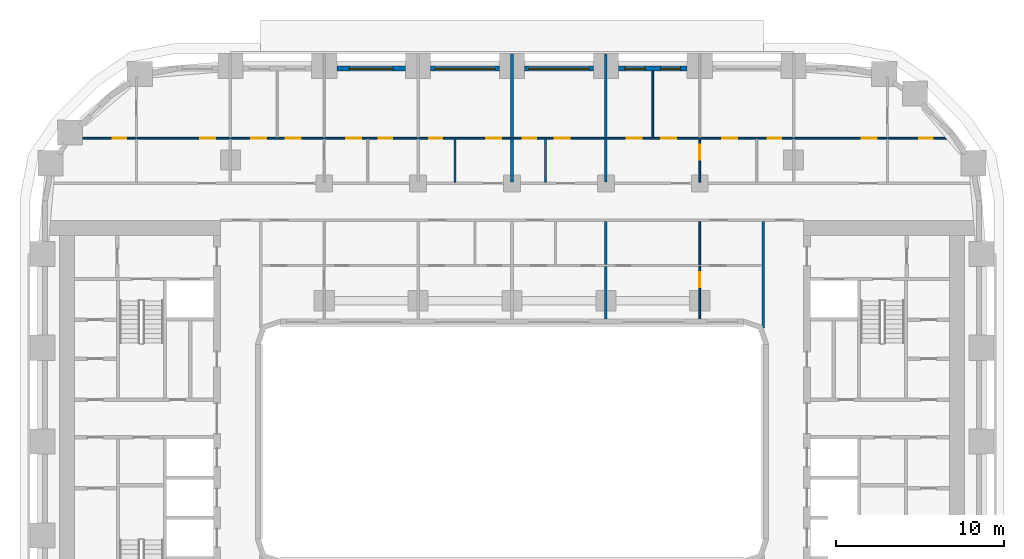
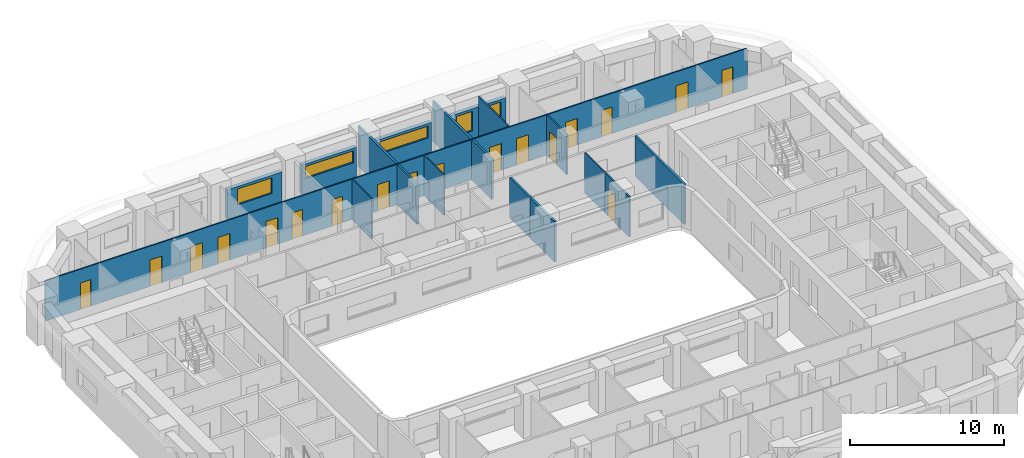
# One storey, part 9 of 21: 18 doors, 18 walls, 5 windows, 23 openings.
"""IFC4 building model written with IfcOpenShell, lengths in metres."""

from ifc_helpers import new_model, si_unit, direction, frame, frame_2d, origin, place, context, subcontext, project, spatial, rectangle, extrude, material, layer, layer_set, type_object, element, fill, save


model = new_model("IFC4")

# Units and contexts
model_context = context("Model", 3, precision=1e-05, world=origin(), true_north=direction((0.0, 1.0)))
body_context = subcontext(model_context, "Body", "Model", "MODEL_VIEW")
ifc_project = project(units=[si_unit("LENGTHUNIT", "METRE"), si_unit("AREAUNIT", "SQUARE_METRE"), si_unit("VOLUMEUNIT", "CUBIC_METRE"), si_unit("PLANEANGLEUNIT", "RADIAN"), si_unit("MASSUNIT", "GRAM", prefix="KILO")], contexts=[model_context])

# Site, building, storey
site_placement = place(None, origin())
site = spatial("IfcSite", under=ifc_project, at=site_placement, CompositionType="ELEMENT")
building_placement = place(site_placement, origin())
building = spatial("IfcBuilding", under=site, at=building_placement, Name="Kiln Ring Residences", CompositionType="ELEMENT")
storey_placement = place(building_placement, frame((0.0, 0.0, 41.0)))
storey = spatial("IfcBuildingStorey", under=building, at=storey_placement, Name="L09", CompositionType="ELEMENT", Elevation=41.0)

# Wall, openings, windows
ifc_material_1 = material(Name="Brick masonry, dark clay brick", Category="masonry")
ifc_layer_1 = layer(ifc_material_1, 0.300048828125)
ifc_layer_set_1 = layer_set([ifc_layer_1], Name="EW-300 BRICK WALL")
wall_type_1 = type_object("IfcWallType", Name="EW-300 BRICK WALL", PredefinedType="SOLIDWALL", material=ifc_layer_set_1)
wall_1_placement = place(storey_placement, frame((10.449951171875, 22.25, 0.0), z_axis=(0.0, 0.0, 1.0), x_axis=(-1.0, 0.0, 0.0)))
wall_1 = element("IfcWall", 1, at=wall_1_placement, inside=storey, type_object=wall_type_1, Name="Facade wall L09 30", PredefinedType="SOLIDWALL", context=body_context, shape_type="SweptSolid", body=[
    extrude(rectangle(XDim=4.099853515625, YDim=0.300048828125, at=frame_2d((2.0498046875, 0.0))), origin(), (0.0, 0.0, 1.0), 2.35009765625),
])
opening_1_placement = place(wall_1_placement, frame((0.387451171875, 0.0, 0.60009765625)))
opening_1 = element("IfcOpeningElement", 2, at=opening_1_placement, cuts=wall_1, Name="Opening W1", PredefinedType="OPENING", context=body_context, shape_type="SweptSolid", body=[
    extrude(rectangle(XDim=1.199951171875, YDim=1.550048828125, at=frame_2d((0.60009765625, 0.77490234375))), frame((0.0, 0.159912109375, 0.0), z_axis=(0.0, -1.0, 0.0), x_axis=(1.0, 0.0, 0.0)), (0.0, 0.0, 1.0), 0.320068359375),
])
opening_2_placement = place(wall_1_placement, frame((2.512451171875, 0.0, 0.60009765625)))
opening_2 = element("IfcOpeningElement", 3, at=opening_2_placement, cuts=wall_1, Name="Opening W1", PredefinedType="OPENING", context=body_context, shape_type="SweptSolid", body=[
    extrude(rectangle(XDim=1.199951171875, YDim=1.550048828125, at=frame_2d((0.60009765625, 0.77490234375))), frame((0.0, 0.159912109375, 0.0), z_axis=(0.0, -1.0, 0.0), x_axis=(1.0, 0.0, 0.0)), (0.0, 0.0, 1.0), 0.320068359375),
])
ifc_material_2 = material(Name="Aluminium frame with double glazing", Category="aluminium")
window_type_1 = type_object("IfcWindowType", Name="WINDOW 1200 x 1550", PartitioningType="SINGLE_PANEL", PredefinedType="WINDOW", material=ifc_material_2)
window_1_placement = place(opening_1_placement, origin())
window_1 = element("IfcWindow", 4, at=window_1_placement, inside=storey, type_object=window_type_1, Name="Window L09 15", OverallHeight=1.550048828125, OverallWidth=1.199951171875, PartitioningType="SINGLE_PANEL", PredefinedType="WINDOW", context=body_context, shape_type="SweptSolid", body=[
    extrude(rectangle(XDim=1.199951171875, YDim=1.550048828125, at=frame_2d((0.60009765625, 0.77490234375))), frame((0.0, 0.030029296875, 0.0), z_axis=(0.0, -1.0, 0.0), x_axis=(1.0, 0.0, 0.0)), (0.0, 0.0, 1.0), 0.06005859375),
])
fill(opening_1, window_1)
window_2_placement = place(opening_2_placement, origin())
window_2 = element("IfcWindow", 5, at=window_2_placement, inside=storey, type_object=window_type_1, Name="Window L09 16", OverallHeight=1.550048828125, OverallWidth=1.199951171875, PartitioningType="SINGLE_PANEL", PredefinedType="WINDOW", context=body_context, shape_type="SweptSolid", body=[
    extrude(rectangle(XDim=1.199951171875, YDim=1.550048828125, at=frame_2d((0.60009765625, 0.77490234375))), frame((0.0, 0.030029296875, 0.0), z_axis=(0.0, -1.0, 0.0), x_axis=(1.0, 0.0, 0.0)), (0.0, 0.0, 1.0), 0.06005859375),
])
fill(opening_2, window_2)

# Wall, opening, window
wall_2_placement = place(storey_placement, frame((4.85009765625, 22.25, 0.0), z_axis=(0.0, 0.0, 1.0), x_axis=(-1.0, 0.0, 0.0)))
wall_2 = element("IfcWall", 6, at=wall_2_placement, inside=storey, type_object=wall_type_1, Name="Facade wall L09 31", PredefinedType="SOLIDWALL", context=body_context, shape_type="SweptSolid", body=[
    extrude(rectangle(XDim=4.10009765625, YDim=0.300048828125, at=frame_2d((2.050048828125, 0.0))), origin(), (0.0, 0.0, 1.0), 2.35009765625),
])
opening_3_placement = place(wall_2_placement, frame((0.25, 0.0, 1.199951171875)))
opening_3 = element("IfcOpeningElement", 7, at=opening_3_placement, cuts=wall_2, Name="Opening W4", PredefinedType="OPENING", context=body_context, shape_type="SweptSolid", body=[
    extrude(rectangle(XDim=3.60009765625, YDim=0.949951171875, at=frame_2d((1.800048828125, 0.47509765625))), frame((0.0, 0.159912109375, 0.0), z_axis=(0.0, -1.0, 0.0), x_axis=(1.0, 0.0, 0.0)), (0.0, 0.0, 1.0), 0.320068359375),
])
ifc_material_3 = material(Name="Aluminium frame with double glazing", Category="aluminium")
window_type_2 = type_object("IfcWindowType", Name="WINDOW 3600 x 950", PartitioningType="SINGLE_PANEL", PredefinedType="WINDOW", material=ifc_material_3)
window_3_placement = place(opening_3_placement, origin())
window_3 = element("IfcWindow", 8, at=window_3_placement, inside=storey, type_object=window_type_2, Name="Window L09 17", OverallHeight=0.949951171875, OverallWidth=3.60009765625, PartitioningType="SINGLE_PANEL", PredefinedType="WINDOW", context=body_context, shape_type="SweptSolid", body=[
    extrude(rectangle(XDim=3.60009765625, YDim=0.949951171875, at=frame_2d((1.800048828125, 0.47509765625))), frame((0.0, 0.030029296875, 0.0), z_axis=(0.0, -1.0, 0.0), x_axis=(1.0, 0.0, 0.0)), (0.0, 0.0, 1.0), 0.06005859375),
])
fill(opening_3, window_3)

wall_3_placement = place(storey_placement, frame((-0.75, 22.25, 0.0), z_axis=(0.0, 0.0, 1.0), x_axis=(-1.0, 0.0, 0.0)))
wall_3 = element("IfcWall", 9, at=wall_3_placement, inside=storey, type_object=wall_type_1, Name="Facade wall L09 32", PredefinedType="SOLIDWALL", context=body_context, shape_type="SweptSolid", body=[
    extrude(rectangle(XDim=4.10009765625, YDim=0.300048828125, at=frame_2d((2.050048828125, 0.0))), origin(), (0.0, 0.0, 1.0), 2.35009765625),
])
opening_4_placement = place(wall_3_placement, frame((0.25, 0.0, 1.199951171875)))
opening_4 = element("IfcOpeningElement", 10, at=opening_4_placement, cuts=wall_3, Name="Opening W4", PredefinedType="OPENING", context=body_context, shape_type="SweptSolid", body=[
    extrude(rectangle(XDim=3.60009765625, YDim=0.949951171875, at=frame_2d((1.800048828125, 0.47509765625))), frame((0.0, 0.159912109375, 0.0), z_axis=(0.0, -1.0, 0.0), x_axis=(1.0, 0.0, 0.0)), (0.0, 0.0, 1.0), 0.320068359375),
])
window_4_placement = place(opening_4_placement, origin())
window_4 = element("IfcWindow", 11, at=window_4_placement, inside=storey, type_object=window_type_2, Name="Window L09 18", OverallHeight=0.949951171875, OverallWidth=3.60009765625, PartitioningType="SINGLE_PANEL", PredefinedType="WINDOW", context=body_context, shape_type="SweptSolid", body=[
    extrude(rectangle(XDim=3.60009765625, YDim=0.949951171875, at=frame_2d((1.800048828125, 0.47509765625))), frame((0.0, 0.030029296875, 0.0), z_axis=(0.0, -1.0, 0.0), x_axis=(1.0, 0.0, 0.0)), (0.0, 0.0, 1.0), 0.06005859375),
])
fill(opening_4, window_4)

wall_4_placement = place(storey_placement, frame((-6.35009765625, 22.25, 0.0), z_axis=(0.0, 0.0, 1.0), x_axis=(-1.0, 0.0, 0.0)))
wall_4 = element("IfcWall", 12, at=wall_4_placement, inside=storey, type_object=wall_type_1, Name="Facade wall L09 33", PredefinedType="SOLIDWALL", context=body_context, shape_type="SweptSolid", body=[
    extrude(rectangle(XDim=4.099853515625, YDim=0.300048828125, at=frame_2d((2.0498046875, 0.0))), origin(), (0.0, 0.0, 1.0), 2.35009765625),
])
opening_5_placement = place(wall_4_placement, frame((0.75, 0.0, 0.89990234375)))
opening_5 = element("IfcOpeningElement", 13, at=opening_5_placement, cuts=wall_4, Name="Opening W3", PredefinedType="OPENING", context=body_context, shape_type="SweptSolid", body=[
    extrude(rectangle(XDim=2.60009765625, YDim=1.25, at=frame_2d((1.300048828125, 0.625))), frame((0.0, 0.159912109375, 0.0), z_axis=(0.0, -1.0, 0.0), x_axis=(1.0, 0.0, 0.0)), (0.0, 0.0, 1.0), 0.320068359375),
])
ifc_material_4 = material(Name="Aluminium frame with double glazing", Category="aluminium")
window_type_3 = type_object("IfcWindowType", Name="WINDOW 2600 x 1250", PartitioningType="SINGLE_PANEL", PredefinedType="WINDOW", material=ifc_material_4)
window_5_placement = place(opening_5_placement, origin())
window_5 = element("IfcWindow", 14, at=window_5_placement, inside=storey, type_object=window_type_3, Name="Window L09 19", OverallHeight=1.25, OverallWidth=2.60009765625, PartitioningType="SINGLE_PANEL", PredefinedType="WINDOW", context=body_context, shape_type="SweptSolid", body=[
    extrude(rectangle(XDim=2.60009765625, YDim=1.25, at=frame_2d((1.300048828125, 0.625))), frame((0.0, 0.030029296875, 0.0), z_axis=(0.0, -1.0, 0.0), x_axis=(1.0, 0.0, 0.0)), (0.0, 0.0, 1.0), 0.06005859375),
])
fill(opening_5, window_5)

# Wall, openings, doors
ifc_material_5 = material(Name="Gypsum board on steel studs", Category="steel")
ifc_layer_2 = layer(ifc_material_5, 0.10009765625)
ifc_layer_set_2 = layer_set([ifc_layer_2], Name="PARTITION-100")
wall_type_2 = type_object("IfcWallType", Name="PARTITION-100", PredefinedType="PARTITIONING", material=ifc_layer_set_2)
wall_5_placement = place(storey_placement, frame((-26.43994140625, 18.10009765625, 0.0), z_axis=(0.0, 0.0, 1.0), x_axis=(1.0, 0.0, 0.0)))
wall_5 = element("IfcWall", 15, at=wall_5_placement, inside=storey, type_object=wall_type_2, Name="Partition 006", PredefinedType="PARTITIONING", context=body_context, shape_type="SweptSolid", body=[
    extrude(rectangle(XDim=52.630126953125, YDim=0.10009765625, at=frame_2d((26.31494140625, 0.0))), origin(), (0.0, 0.0, 1.0), 3.199951171875),
])
opening_6_placement = place(wall_5_placement, frame((2.6259765625, 0.0, 0.0)))
opening_6 = element("IfcOpeningElement", 16, at=opening_6_placement, cuts=wall_5, Name="Opening L09-D020", PredefinedType="OPENING", context=body_context, shape_type="SweptSolid", body=[
    extrude(rectangle(XDim=0.800048828125, YDim=2.10009765625, at=frame_2d((0.39990234375, 1.050048828125))), frame((0.0, 0.06005859375, 0.0), z_axis=(0.0, -1.0, 0.0), x_axis=(1.0, 0.0, 0.0)), (0.0, 0.0, 1.0), 0.1201171875),
])
opening_7_placement = place(wall_5_placement, frame((7.840087890625, 0.0, 0.0)))
opening_7 = element("IfcOpeningElement", 17, at=opening_7_placement, cuts=wall_5, Name="Opening L09-D021", PredefinedType="OPENING", context=body_context, shape_type="SweptSolid", body=[
    extrude(rectangle(XDim=0.89990234375, YDim=2.10009765625, at=frame_2d((0.449951171875, 1.050048828125))), frame((0.0, 0.06005859375, 0.0), z_axis=(0.0, -1.0, 0.0), x_axis=(1.0, 0.0, 0.0)), (0.0, 0.0, 1.0), 0.1201171875),
])
opening_8_placement = place(wall_5_placement, frame((18.489990234375, 0.0, 0.0)))
opening_8 = element("IfcOpeningElement", 18, at=opening_8_placement, cuts=wall_5, Name="Opening L09-D025", PredefinedType="OPENING", context=body_context, shape_type="SweptSolid", body=[
    extrude(rectangle(XDim=0.800048828125, YDim=2.10009765625, at=frame_2d((0.39990234375, 1.050048828125))), frame((0.0, 0.06005859375, 0.0), z_axis=(0.0, -1.0, 0.0), x_axis=(1.0, 0.0, 0.0)), (0.0, 0.0, 1.0), 0.1201171875),
])
opening_9_placement = place(wall_5_placement, frame((16.5400390625, 0.0, 0.0)))
opening_9 = element("IfcOpeningElement", 19, at=opening_9_placement, cuts=wall_5, Name="Opening L09-D026", PredefinedType="OPENING", context=body_context, shape_type="SweptSolid", body=[
    extrude(rectangle(XDim=0.89990234375, YDim=2.10009765625, at=frame_2d((0.449951171875, 1.050048828125))), frame((0.0, 0.06005859375, 0.0), z_axis=(0.0, -1.0, 0.0), x_axis=(1.0, 0.0, 0.0)), (0.0, 0.0, 1.0), 0.1201171875),
])
opening_10_placement = place(wall_5_placement, frame((10.889892578125, 0.0, 0.0)))
opening_10 = element("IfcOpeningElement", 20, at=opening_10_placement, cuts=wall_5, Name="Opening L09-D027", PredefinedType="OPENING", context=body_context, shape_type="SweptSolid", body=[
    extrude(rectangle(XDim=0.89990234375, YDim=2.10009765625, at=frame_2d((0.449951171875, 1.050048828125))), frame((0.0, 0.06005859375, 0.0), z_axis=(0.0, -1.0, 0.0), x_axis=(1.0, 0.0, 0.0)), (0.0, 0.0, 1.0), 0.1201171875),
])
opening_11_placement = place(wall_5_placement, frame((12.93994140625, 0.0, 0.0)))
opening_11 = element("IfcOpeningElement", 21, at=opening_11_placement, cuts=wall_5, Name="Opening L09-D028", PredefinedType="OPENING", context=body_context, shape_type="SweptSolid", body=[
    extrude(rectangle(XDim=0.89990234375, YDim=2.10009765625, at=frame_2d((0.449951171875, 1.050048828125))), frame((0.0, 0.06005859375, 0.0), z_axis=(0.0, -1.0, 0.0), x_axis=(1.0, 0.0, 0.0)), (0.0, 0.0, 1.0), 0.1201171875),
])
opening_12_placement = place(wall_5_placement, frame((21.489990234375, 0.0, 0.0)))
opening_12 = element("IfcOpeningElement", 22, at=opening_12_placement, cuts=wall_5, Name="Opening L09-D030", PredefinedType="OPENING", context=body_context, shape_type="SweptSolid", body=[
    extrude(rectangle(XDim=0.800048828125, YDim=2.10009765625, at=frame_2d((0.39990234375, 1.050048828125))), frame((0.0, 0.06005859375, 0.0), z_axis=(0.0, -1.0, 0.0), x_axis=(1.0, 0.0, 0.0)), (0.0, 0.0, 1.0), 0.1201171875),
])
opening_13_placement = place(wall_5_placement, frame((24.889892578125, 0.0, 0.0)))
opening_13 = element("IfcOpeningElement", 23, at=opening_13_placement, cuts=wall_5, Name="Opening L09-D031", PredefinedType="OPENING", context=body_context, shape_type="SweptSolid", body=[
    extrude(rectangle(XDim=0.89990234375, YDim=2.10009765625, at=frame_2d((0.449951171875, 1.050048828125))), frame((0.0, 0.06005859375, 0.0), z_axis=(0.0, -1.0, 0.0), x_axis=(1.0, 0.0, 0.0)), (0.0, 0.0, 1.0), 0.1201171875),
])
opening_14_placement = place(wall_5_placement, frame((27.090087890625, 0.0, 0.0)))
opening_14 = element("IfcOpeningElement", 24, at=opening_14_placement, cuts=wall_5, Name="Opening L09-D033", PredefinedType="OPENING", context=body_context, shape_type="SweptSolid", body=[
    extrude(rectangle(XDim=0.800048828125, YDim=2.10009765625, at=frame_2d((0.39990234375, 1.050048828125))), frame((0.0, 0.06005859375, 0.0), z_axis=(0.0, -1.0, 0.0), x_axis=(1.0, 0.0, 0.0)), (0.0, 0.0, 1.0), 0.1201171875),
])
opening_15_placement = place(wall_5_placement, frame((28.989990234375, 0.0, 0.0)))
opening_15 = element("IfcOpeningElement", 25, at=opening_15_placement, cuts=wall_5, Name="Opening L09-D034", PredefinedType="OPENING", context=body_context, shape_type="SweptSolid", body=[
    extrude(rectangle(XDim=0.89990234375, YDim=2.10009765625, at=frame_2d((0.449951171875, 1.050048828125))), frame((0.0, 0.06005859375, 0.0), z_axis=(0.0, -1.0, 0.0), x_axis=(1.0, 0.0, 0.0)), (0.0, 0.0, 1.0), 0.1201171875),
])
opening_16_placement = place(wall_5_placement, frame((41.68994140625, 0.0, 0.0)))
opening_16 = element("IfcOpeningElement", 26, at=opening_16_placement, cuts=wall_5, Name="Opening L09-D037", PredefinedType="OPENING", context=body_context, shape_type="SweptSolid", body=[
    extrude(rectangle(XDim=0.800048828125, YDim=2.10009765625, at=frame_2d((0.39990234375, 1.050048828125))), frame((0.0, 0.06005859375, 0.0), z_axis=(0.0, -1.0, 0.0), x_axis=(1.0, 0.0, 0.0)), (0.0, 0.0, 1.0), 0.1201171875),
])
opening_17_placement = place(wall_5_placement, frame((38.989990234375, 0.0, 0.0)))
opening_17 = element("IfcOpeningElement", 27, at=opening_17_placement, cuts=wall_5, Name="Opening L09-D038", PredefinedType="OPENING", context=body_context, shape_type="SweptSolid", body=[
    extrude(rectangle(XDim=0.89990234375, YDim=2.10009765625, at=frame_2d((0.449951171875, 1.050048828125))), frame((0.0, 0.06005859375, 0.0), z_axis=(0.0, -1.0, 0.0), x_axis=(1.0, 0.0, 0.0)), (0.0, 0.0, 1.0), 0.1201171875),
])
opening_18_placement = place(wall_5_placement, frame((33.2900390625, 0.0, 0.0)))
opening_18 = element("IfcOpeningElement", 28, at=opening_18_placement, cuts=wall_5, Name="Opening L09-D039", PredefinedType="OPENING", context=body_context, shape_type="SweptSolid", body=[
    extrude(rectangle(XDim=0.89990234375, YDim=2.10009765625, at=frame_2d((0.449951171875, 1.050048828125))), frame((0.0, 0.06005859375, 0.0), z_axis=(0.0, -1.0, 0.0), x_axis=(1.0, 0.0, 0.0)), (0.0, 0.0, 1.0), 0.1201171875),
])
opening_19_placement = place(wall_5_placement, frame((35.340087890625, 0.0, 0.0)))
opening_19 = element("IfcOpeningElement", 29, at=opening_19_placement, cuts=wall_5, Name="Opening L09-D040", PredefinedType="OPENING", context=body_context, shape_type="SweptSolid", body=[
    extrude(rectangle(XDim=0.89990234375, YDim=2.10009765625, at=frame_2d((0.449951171875, 1.050048828125))), frame((0.0, 0.06005859375, 0.0), z_axis=(0.0, -1.0, 0.0), x_axis=(1.0, 0.0, 0.0)), (0.0, 0.0, 1.0), 0.1201171875),
])
opening_20_placement = place(wall_5_placement, frame((50.739990234375, 0.0, 0.0)))
opening_20 = element("IfcOpeningElement", 30, at=opening_20_placement, cuts=wall_5, Name="Opening L09-D042", PredefinedType="OPENING", context=body_context, shape_type="SweptSolid", body=[
    extrude(rectangle(XDim=0.800048828125, YDim=2.10009765625, at=frame_2d((0.39990234375, 1.050048828125))), frame((0.0, 0.06005859375, 0.0), z_axis=(0.0, -1.0, 0.0), x_axis=(1.0, 0.0, 0.0)), (0.0, 0.0, 1.0), 0.1201171875),
])
opening_21_placement = place(wall_5_placement, frame((47.2900390625, 0.0, 0.0)))
opening_21 = element("IfcOpeningElement", 31, at=opening_21_placement, cuts=wall_5, Name="Opening L09-D043", PredefinedType="OPENING", context=body_context, shape_type="SweptSolid", body=[
    extrude(rectangle(XDim=0.89990234375, YDim=2.10009765625, at=frame_2d((0.449951171875, 1.050048828125))), frame((0.0, 0.06005859375, 0.0), z_axis=(0.0, -1.0, 0.0), x_axis=(1.0, 0.0, 0.0)), (0.0, 0.0, 1.0), 0.1201171875),
])
ifc_material_6 = material(Name="Timber door leaf", Category="wood")
door_type_1 = type_object("IfcDoorType", Name="FLAT-DOOR-800-PL", OperationType="SINGLE_SWING_LEFT", PredefinedType="DOOR", material=ifc_material_6)
door_1_placement = place(opening_6_placement, origin())
door_1 = element("IfcDoor", 32, at=door_1_placement, inside=storey, type_object=door_type_1, Name="Door L09-D020", OperationType="SINGLE_SWING_RIGHT", OverallHeight=2.10009765625, OverallWidth=0.800048828125, PredefinedType="DOOR", context=body_context, shape_type="SweptSolid", body=[
    extrude(rectangle(XDim=0.800048828125, YDim=2.10009765625, at=frame_2d((0.39990234375, 1.050048828125))), frame((0.0, 0.02490234375, 0.0), z_axis=(0.0, -1.0, 0.0), x_axis=(1.0, 0.0, 0.0)), (0.0, 0.0, 1.0), 0.050048828125),
])
fill(opening_6, door_1)
door_2_placement = place(opening_8_placement, origin())
door_2 = element("IfcDoor", 33, at=door_2_placement, inside=storey, type_object=door_type_1, Name="Door L09-D025", OperationType="SINGLE_SWING_LEFT", OverallHeight=2.10009765625, OverallWidth=0.800048828125, PredefinedType="DOOR", context=body_context, shape_type="SweptSolid", body=[
    extrude(rectangle(XDim=0.800048828125, YDim=2.10009765625, at=frame_2d((0.39990234375, 1.050048828125))), frame((0.0, 0.02490234375, 0.0), z_axis=(0.0, -1.0, 0.0), x_axis=(1.0, 0.0, 0.0)), (0.0, 0.0, 1.0), 0.050048828125),
])
fill(opening_8, door_2)
door_3_placement = place(opening_12_placement, origin())
door_3 = element("IfcDoor", 34, at=door_3_placement, inside=storey, type_object=door_type_1, Name="Door L09-D030", OperationType="SINGLE_SWING_RIGHT", OverallHeight=2.10009765625, OverallWidth=0.800048828125, PredefinedType="DOOR", context=body_context, shape_type="SweptSolid", body=[
    extrude(rectangle(XDim=0.800048828125, YDim=2.10009765625, at=frame_2d((0.39990234375, 1.050048828125))), frame((0.0, 0.02490234375, 0.0), z_axis=(0.0, -1.0, 0.0), x_axis=(1.0, 0.0, 0.0)), (0.0, 0.0, 1.0), 0.050048828125),
])
fill(opening_12, door_3)
door_4_placement = place(opening_14_placement, origin())
door_4 = element("IfcDoor", 35, at=door_4_placement, inside=storey, type_object=door_type_1, Name="Door L09-D033", OperationType="SINGLE_SWING_LEFT", OverallHeight=2.10009765625, OverallWidth=0.800048828125, PredefinedType="DOOR", context=body_context, shape_type="SweptSolid", body=[
    extrude(rectangle(XDim=0.800048828125, YDim=2.10009765625, at=frame_2d((0.39990234375, 1.050048828125))), frame((0.0, 0.02490234375, 0.0), z_axis=(0.0, -1.0, 0.0), x_axis=(1.0, 0.0, 0.0)), (0.0, 0.0, 1.0), 0.050048828125),
])
fill(opening_14, door_4)
door_5_placement = place(opening_16_placement, origin())
door_5 = element("IfcDoor", 36, at=door_5_placement, inside=storey, type_object=door_type_1, Name="Door L09-D037", OperationType="SINGLE_SWING_LEFT", OverallHeight=2.10009765625, OverallWidth=0.800048828125, PredefinedType="DOOR", context=body_context, shape_type="SweptSolid", body=[
    extrude(rectangle(XDim=0.800048828125, YDim=2.10009765625, at=frame_2d((0.39990234375, 1.050048828125))), frame((0.0, 0.02490234375, 0.0), z_axis=(0.0, -1.0, 0.0), x_axis=(1.0, 0.0, 0.0)), (0.0, 0.0, 1.0), 0.050048828125),
])
fill(opening_16, door_5)
door_6_placement = place(opening_20_placement, origin())
door_6 = element("IfcDoor", 37, at=door_6_placement, inside=storey, type_object=door_type_1, Name="Door L09-D042", OperationType="SINGLE_SWING_RIGHT", OverallHeight=2.10009765625, OverallWidth=0.800048828125, PredefinedType="DOOR", context=body_context, shape_type="SweptSolid", body=[
    extrude(rectangle(XDim=0.800048828125, YDim=2.10009765625, at=frame_2d((0.39990234375, 1.050048828125))), frame((0.0, 0.02490234375, 0.0), z_axis=(0.0, -1.0, 0.0), x_axis=(1.0, 0.0, 0.0)), (0.0, 0.0, 1.0), 0.050048828125),
])
fill(opening_20, door_6)
ifc_material_7 = material(Name="Timber door leaf", Category="wood")
door_type_2 = type_object("IfcDoorType", Name="FLAT-DOOR-900-PL", OperationType="SINGLE_SWING_LEFT", PredefinedType="DOOR", material=ifc_material_7)
door_7_placement = place(opening_7_placement, origin())
door_7 = element("IfcDoor", 38, at=door_7_placement, inside=storey, type_object=door_type_2, Name="Door L09-D021", OperationType="SINGLE_SWING_LEFT", OverallHeight=2.10009765625, OverallWidth=0.89990234375, PredefinedType="DOOR", context=body_context, shape_type="SweptSolid", body=[
    extrude(rectangle(XDim=0.89990234375, YDim=2.10009765625, at=frame_2d((0.449951171875, 1.050048828125))), frame((0.0, 0.02490234375, 0.0), z_axis=(0.0, -1.0, 0.0), x_axis=(1.0, 0.0, 0.0)), (0.0, 0.0, 1.0), 0.050048828125),
])
fill(opening_7, door_7)
door_8_placement = place(opening_9_placement, origin())
door_8 = element("IfcDoor", 39, at=door_8_placement, inside=storey, type_object=door_type_2, Name="Door L09-D026", OperationType="SINGLE_SWING_LEFT", OverallHeight=2.10009765625, OverallWidth=0.89990234375, PredefinedType="DOOR", context=body_context, shape_type="SweptSolid", body=[
    extrude(rectangle(XDim=0.89990234375, YDim=2.10009765625, at=frame_2d((0.449951171875, 1.050048828125))), frame((0.0, 0.02490234375, 0.0), z_axis=(0.0, -1.0, 0.0), x_axis=(1.0, 0.0, 0.0)), (0.0, 0.0, 1.0), 0.050048828125),
])
fill(opening_9, door_8)
door_9_placement = place(opening_10_placement, origin())
door_9 = element("IfcDoor", 40, at=door_9_placement, inside=storey, type_object=door_type_2, Name="Door L09-D027", OperationType="SINGLE_SWING_LEFT", OverallHeight=2.10009765625, OverallWidth=0.89990234375, PredefinedType="DOOR", context=body_context, shape_type="SweptSolid", body=[
    extrude(rectangle(XDim=0.89990234375, YDim=2.10009765625, at=frame_2d((0.449951171875, 1.050048828125))), frame((0.0, 0.02490234375, 0.0), z_axis=(0.0, -1.0, 0.0), x_axis=(1.0, 0.0, 0.0)), (0.0, 0.0, 1.0), 0.050048828125),
])
fill(opening_10, door_9)
door_10_placement = place(opening_11_placement, origin())
door_10 = element("IfcDoor", 41, at=door_10_placement, inside=storey, type_object=door_type_2, Name="Door L09-D028", OperationType="SINGLE_SWING_RIGHT", OverallHeight=2.10009765625, OverallWidth=0.89990234375, PredefinedType="DOOR", context=body_context, shape_type="SweptSolid", body=[
    extrude(rectangle(XDim=0.89990234375, YDim=2.10009765625, at=frame_2d((0.449951171875, 1.050048828125))), frame((0.0, 0.02490234375, 0.0), z_axis=(0.0, -1.0, 0.0), x_axis=(1.0, 0.0, 0.0)), (0.0, 0.0, 1.0), 0.050048828125),
])
fill(opening_11, door_10)
door_11_placement = place(opening_13_placement, origin())
door_11 = element("IfcDoor", 42, at=door_11_placement, inside=storey, type_object=door_type_2, Name="Door L09-D031", OperationType="SINGLE_SWING_LEFT", OverallHeight=2.10009765625, OverallWidth=0.89990234375, PredefinedType="DOOR", context=body_context, shape_type="SweptSolid", body=[
    extrude(rectangle(XDim=0.89990234375, YDim=2.10009765625, at=frame_2d((0.449951171875, 1.050048828125))), frame((0.0, 0.02490234375, 0.0), z_axis=(0.0, -1.0, 0.0), x_axis=(1.0, 0.0, 0.0)), (0.0, 0.0, 1.0), 0.050048828125),
])
fill(opening_13, door_11)
door_12_placement = place(opening_15_placement, origin())
door_12 = element("IfcDoor", 43, at=door_12_placement, inside=storey, type_object=door_type_2, Name="Door L09-D034", OperationType="SINGLE_SWING_RIGHT", OverallHeight=2.10009765625, OverallWidth=0.89990234375, PredefinedType="DOOR", context=body_context, shape_type="SweptSolid", body=[
    extrude(rectangle(XDim=0.89990234375, YDim=2.10009765625, at=frame_2d((0.449951171875, 1.050048828125))), frame((0.0, 0.02490234375, 0.0), z_axis=(0.0, -1.0, 0.0), x_axis=(1.0, 0.0, 0.0)), (0.0, 0.0, 1.0), 0.050048828125),
])
fill(opening_15, door_12)
door_13_placement = place(opening_17_placement, origin())
door_13 = element("IfcDoor", 44, at=door_13_placement, inside=storey, type_object=door_type_2, Name="Door L09-D038", OperationType="SINGLE_SWING_RIGHT", OverallHeight=2.10009765625, OverallWidth=0.89990234375, PredefinedType="DOOR", context=body_context, shape_type="SweptSolid", body=[
    extrude(rectangle(XDim=0.89990234375, YDim=2.10009765625, at=frame_2d((0.449951171875, 1.050048828125))), frame((0.0, 0.02490234375, 0.0), z_axis=(0.0, -1.0, 0.0), x_axis=(1.0, 0.0, 0.0)), (0.0, 0.0, 1.0), 0.050048828125),
])
fill(opening_17, door_13)
door_14_placement = place(opening_18_placement, origin())
door_14 = element("IfcDoor", 45, at=door_14_placement, inside=storey, type_object=door_type_2, Name="Door L09-D039", OperationType="SINGLE_SWING_LEFT", OverallHeight=2.10009765625, OverallWidth=0.89990234375, PredefinedType="DOOR", context=body_context, shape_type="SweptSolid", body=[
    extrude(rectangle(XDim=0.89990234375, YDim=2.10009765625, at=frame_2d((0.449951171875, 1.050048828125))), frame((0.0, 0.02490234375, 0.0), z_axis=(0.0, -1.0, 0.0), x_axis=(1.0, 0.0, 0.0)), (0.0, 0.0, 1.0), 0.050048828125),
])
fill(opening_18, door_14)
door_15_placement = place(opening_19_placement, origin())
door_15 = element("IfcDoor", 46, at=door_15_placement, inside=storey, type_object=door_type_2, Name="Door L09-D040", OperationType="SINGLE_SWING_RIGHT", OverallHeight=2.10009765625, OverallWidth=0.89990234375, PredefinedType="DOOR", context=body_context, shape_type="SweptSolid", body=[
    extrude(rectangle(XDim=0.89990234375, YDim=2.10009765625, at=frame_2d((0.449951171875, 1.050048828125))), frame((0.0, 0.02490234375, 0.0), z_axis=(0.0, -1.0, 0.0), x_axis=(1.0, 0.0, 0.0)), (0.0, 0.0, 1.0), 0.050048828125),
])
fill(opening_19, door_15)
door_16_placement = place(opening_21_placement, origin())
door_16 = element("IfcDoor", 47, at=door_16_placement, inside=storey, type_object=door_type_2, Name="Door L09-D043", OperationType="SINGLE_SWING_LEFT", OverallHeight=2.10009765625, OverallWidth=0.89990234375, PredefinedType="DOOR", context=body_context, shape_type="SweptSolid", body=[
    extrude(rectangle(XDim=0.89990234375, YDim=2.10009765625, at=frame_2d((0.449951171875, 1.050048828125))), frame((0.0, 0.02490234375, 0.0), z_axis=(0.0, -1.0, 0.0), x_axis=(1.0, 0.0, 0.0)), (0.0, 0.0, 1.0), 0.050048828125),
])
fill(opening_21, door_16)

# Walls
for number, where, z_axis, x_axis, name in (
    (48, (-3.39990234375, 15.47509765625, 0.0), (0.0, 0.0, 1.0), (0.0, 1.0, 0.0), "Partition 035"),
    (49, (2.0, 15.47509765625, 0.0), (0.0, 0.0, 1.0), (0.0, 1.0, 0.0), "Partition 045"),
):
    element("IfcWall", number, at=place(storey_placement, frame(where, z_axis=z_axis, x_axis=x_axis)), inside=storey, type_object=wall_type_2, Name=name, PredefinedType="PARTITIONING", context=body_context, shape_type="SweptSolid", body=[
        extrude(rectangle(XDim=2.574951171875, YDim=0.10009765625, at=frame_2d((1.28759765625, 0.0))), origin(), (0.0, 0.0, 1.0), 3.199951171875),
    ])
wall_6_placement = place(storey_placement, frame((8.39990234375, 18.14990234375, 0.0), z_axis=(0.0, 0.0, 1.0), x_axis=(0.0, 1.0, 0.0)))
element("IfcWall", 50, at=wall_6_placement, inside=storey, type_object=wall_type_2, Name="Partition 055", PredefinedType="PARTITIONING", context=body_context, shape_type="SweptSolid", body=[
    extrude(rectangle(XDim=3.93017578125, YDim=0.10009765625, at=frame_2d((1.965087890625, 0.0))), origin(), (0.0, 0.0, 1.0), 3.199951171875),
])

# Wall, opening, door
wall_7_placement = place(storey_placement, frame((11.199951171875, 7.320068359375, 0.0), z_axis=(0.0, 0.0, 1.0), x_axis=(0.0, 1.0, 0.0)))
wall_7 = element("IfcWall", 51, at=wall_7_placement, inside=storey, type_object=wall_type_2, Name="Partition 058", PredefinedType="PARTITIONING", context=body_context, shape_type="SweptSolid", body=[
    extrude(rectangle(XDim=3.1298828125, YDim=0.10009765625, at=frame_2d((1.56494140625, 0.0))), origin(), (0.0, 0.0, 1.0), 3.199951171875),
])
opening_22_placement = place(wall_7_placement, frame((1.8798828125, 0.0, 0.0)))
opening_22 = element("IfcOpeningElement", 52, at=opening_22_placement, cuts=wall_7, Name="Opening L09-D018", PredefinedType="OPENING", context=body_context, shape_type="SweptSolid", body=[
    extrude(rectangle(XDim=0.89990234375, YDim=2.10009765625, at=frame_2d((0.449951171875, 1.050048828125))), frame((0.0, 0.06005859375, 0.0), z_axis=(0.0, -1.0, 0.0), x_axis=(1.0, 0.0, 0.0)), (0.0, 0.0, 1.0), 0.1201171875),
])
door_17_placement = place(opening_22_placement, origin())
door_17 = element("IfcDoor", 53, at=door_17_placement, inside=storey, type_object=door_type_2, Name="Door L09-D018", OperationType="SINGLE_SWING_LEFT", OverallHeight=2.10009765625, OverallWidth=0.89990234375, PredefinedType="DOOR", context=body_context, shape_type="SweptSolid", body=[
    extrude(rectangle(XDim=0.89990234375, YDim=2.10009765625, at=frame_2d((0.449951171875, 1.050048828125))), frame((0.0, 0.02490234375, 0.0), z_axis=(0.0, -1.0, 0.0), x_axis=(1.0, 0.0, 0.0)), (0.0, 0.0, 1.0), 0.050048828125),
])
fill(opening_22, door_17)

# Wall
wall_8_placement = place(storey_placement, frame((11.199951171875, 10.550048828125, 0.0), z_axis=(0.0, 0.0, 1.0), x_axis=(0.0, 1.0, 0.0)))
element("IfcWall", 54, at=wall_8_placement, inside=storey, type_object=wall_type_2, Name="Partition 059", PredefinedType="PARTITIONING", context=body_context, shape_type="SweptSolid", body=[
    extrude(rectangle(XDim=2.574951171875, YDim=0.10009765625, at=frame_2d((1.28759765625, 0.0))), origin(), (0.0, 0.0, 1.0), 3.199951171875),
])

# Wall, opening, door
wall_9_placement = place(storey_placement, frame((11.199951171875, 15.47509765625, 0.0), z_axis=(0.0, 0.0, 1.0), x_axis=(0.0, 1.0, 0.0)))
wall_9 = element("IfcWall", 55, at=wall_9_placement, inside=storey, type_object=wall_type_2, Name="Partition 060", PredefinedType="PARTITIONING", context=body_context, shape_type="SweptSolid", body=[
    extrude(rectangle(XDim=2.574951171875, YDim=0.10009765625, at=frame_2d((1.28759765625, 0.0))), origin(), (0.0, 0.0, 1.0), 3.199951171875),
])
opening_23_placement = place(wall_9_placement, frame((1.325927734375, 0.0, 0.0)))
opening_23 = element("IfcOpeningElement", 56, at=opening_23_placement, cuts=wall_9, Name="Opening L09-D036", PredefinedType="OPENING", context=body_context, shape_type="SweptSolid", body=[
    extrude(rectangle(XDim=0.89990234375, YDim=2.10009765625, at=frame_2d((0.449951171875, 1.050048828125))), frame((0.0, 0.06005859375, 0.0), z_axis=(0.0, -1.0, 0.0), x_axis=(1.0, 0.0, 0.0)), (0.0, 0.0, 1.0), 0.1201171875),
])
door_18_placement = place(opening_23_placement, origin())
door_18 = element("IfcDoor", 57, at=door_18_placement, inside=storey, type_object=door_type_2, Name="Door L09-D036", OperationType="SINGLE_SWING_RIGHT", OverallHeight=2.10009765625, OverallWidth=0.89990234375, PredefinedType="DOOR", context=body_context, shape_type="SweptSolid", body=[
    extrude(rectangle(XDim=0.89990234375, YDim=2.10009765625, at=frame_2d((0.449951171875, 1.050048828125))), frame((0.0, 0.02490234375, 0.0), z_axis=(0.0, -1.0, 0.0), x_axis=(1.0, 0.0, 0.0)), (0.0, 0.0, 1.0), 0.050048828125),
])
fill(opening_23, door_18)

# Walls
ifc_material_8 = material(Name="Brick masonry partition", Category="masonry")
ifc_layer_3 = layer(ifc_material_8, 0.14990234375)
ifc_layer_set_3 = layer_set([ifc_layer_3], Name="PARTITION-150-ei60")
wall_type_3 = type_object("IfcWallType", Name="PARTITION-150-ei60", PredefinedType="PARTITIONING", material=ifc_layer_set_3)
wall_10_placement = place(storey_placement, frame((0.0, 15.47509765625, 0.0), z_axis=(0.0, 0.0, 1.0), x_axis=(0.0, 1.0, 0.0)))
element("IfcWall", 58, at=wall_10_placement, inside=storey, type_object=wall_type_3, Name="Partition 043", PredefinedType="PARTITIONING", context=body_context, shape_type="SweptSolid", body=[
    extrude(rectangle(XDim=2.574951171875, YDim=0.14990234375, at=frame_2d((1.28759765625, 0.0))), origin(), (0.0, 0.0, 1.0), 3.199951171875),
])
wall_11_placement = place(storey_placement, frame((0.0, 18.14990234375, 0.0), z_axis=(0.0, 0.0, 1.0), x_axis=(0.0, 1.0, 0.0)))
element("IfcWall", 59, at=wall_11_placement, inside=storey, type_object=wall_type_3, Name="Partition 044", PredefinedType="PARTITIONING", context=body_context, shape_type="SweptSolid", body=[
    extrude(rectangle(XDim=4.97998046875, YDim=0.14990234375, at=frame_2d((2.489990234375, 0.0))), origin(), (0.0, 0.0, 1.0), 3.199951171875),
])
wall_12_placement = place(storey_placement, frame((5.60009765625, 7.320068359375, 0.0), z_axis=(0.0, 0.0, 1.0), x_axis=(0.0, 1.0, 0.0)))
element("IfcWall", 60, at=wall_12_placement, inside=storey, type_object=wall_type_3, Name="Partition 051", PredefinedType="PARTITIONING", context=body_context, shape_type="SweptSolid", body=[
    extrude(rectangle(XDim=3.1298828125, YDim=0.14990234375, at=frame_2d((1.56494140625, 0.0))), origin(), (0.0, 0.0, 1.0), 3.199951171875),
])
for number, where, z_axis, x_axis, name in (
    (61, (5.60009765625, 10.550048828125, 0.0), (0.0, 0.0, 1.0), (0.0, 1.0, 0.0), "Partition 052"),
    (62, (5.60009765625, 15.47509765625, 0.0), (0.0, 0.0, 1.0), (0.0, 1.0, 0.0), "Partition 053"),
):
    element("IfcWall", number, at=place(storey_placement, frame(where, z_axis=z_axis, x_axis=x_axis)), inside=storey, type_object=wall_type_3, Name=name, PredefinedType="PARTITIONING", context=body_context, shape_type="SweptSolid", body=[
        extrude(rectangle(XDim=2.574951171875, YDim=0.14990234375, at=frame_2d((1.28759765625, 0.0))), origin(), (0.0, 0.0, 1.0), 3.199951171875),
    ])
wall_13_placement = place(storey_placement, frame((5.60009765625, 18.14990234375, 0.0), z_axis=(0.0, 0.0, 1.0), x_axis=(0.0, 1.0, 0.0)))
element("IfcWall", 63, at=wall_13_placement, inside=storey, type_object=wall_type_3, Name="Partition 054", PredefinedType="PARTITIONING", context=body_context, shape_type="SweptSolid", body=[
    extrude(rectangle(XDim=4.97998046875, YDim=0.14990234375, at=frame_2d((2.489990234375, 0.0))), origin(), (0.0, 0.0, 1.0), 3.199951171875),
])
wall_14_placement = place(storey_placement, frame((15.0, 6.768798828125, 0.0), z_axis=(0.0, 0.0, 1.0), x_axis=(0.0, 1.0, 0.0)))
element("IfcWall", 64, at=wall_14_placement, inside=storey, type_object=wall_type_3, Name="Partition 067", PredefinedType="PARTITIONING", context=body_context, shape_type="SweptSolid", body=[
    extrude(rectangle(XDim=6.356201171875, YDim=0.14990234375, at=frame_2d((3.17822265625, 0.0))), origin(), (0.0, 0.0, 1.0), 3.199951171875),
])

save(model, "model.ifc")
